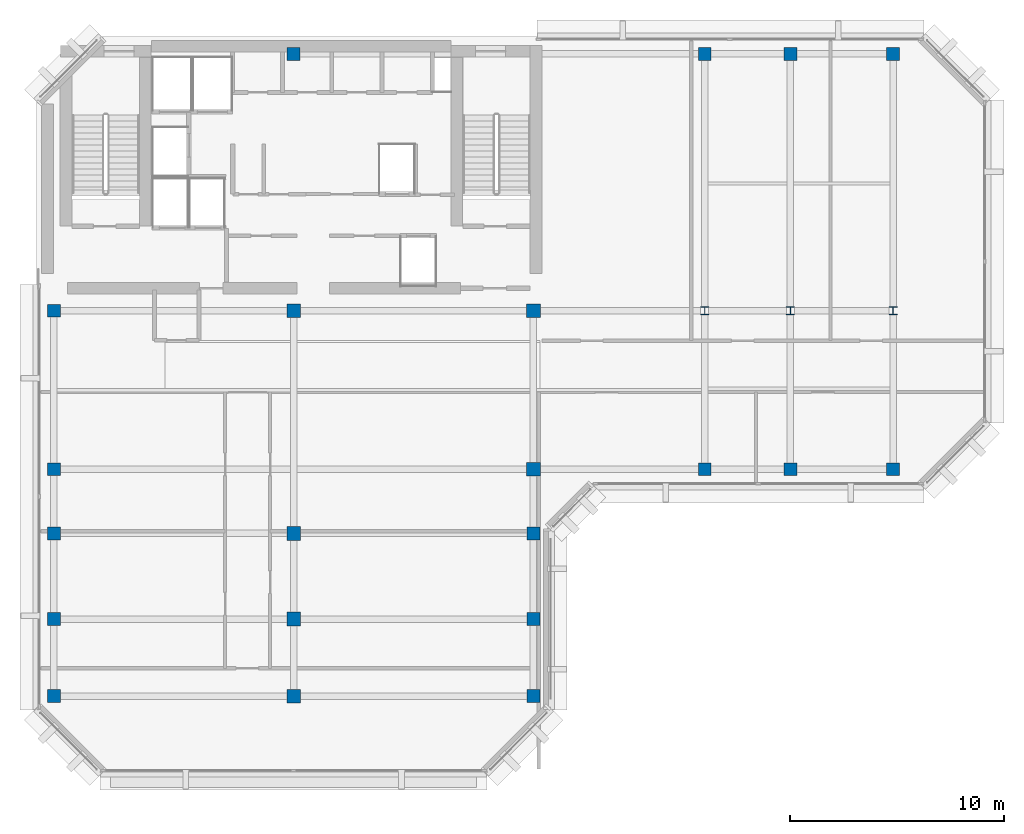
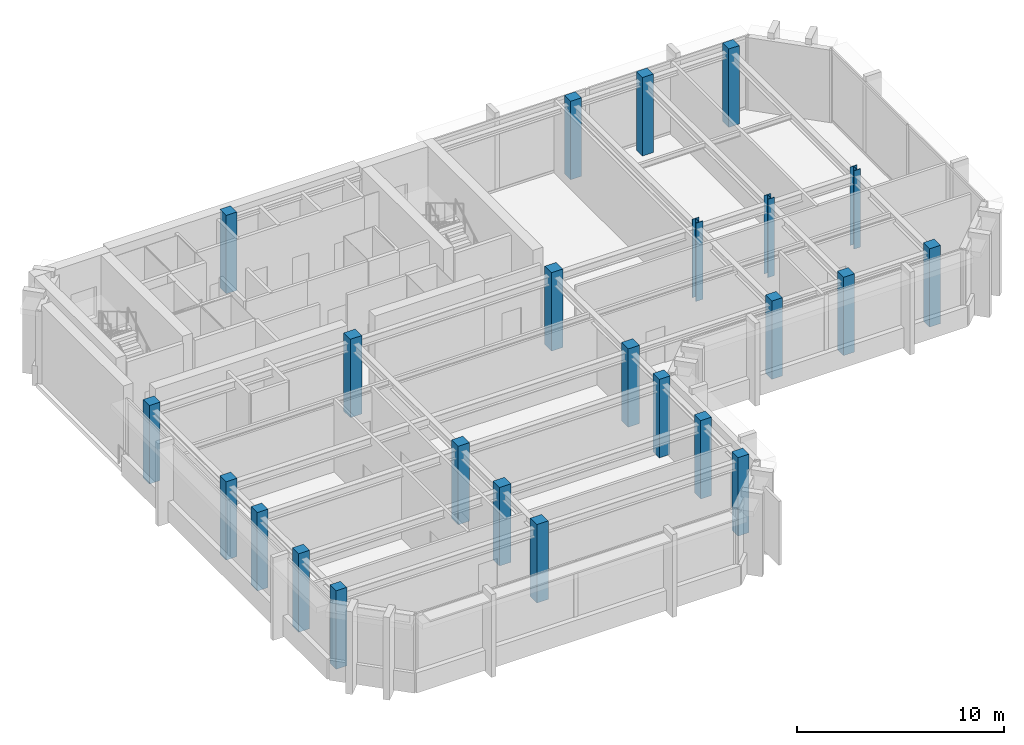
# One storey, part 1 of 9: 24 columns.
"""IFC4 building model written with IfcOpenShell, lengths in metres."""

import ifcopenshell
import ifcopenshell.guid

model = None  # the IFC model being written
_history = None  # IfcOwnerHistory: only IFC2X3 demands one
_inside = {}  # id of a spatial element -> (the spatial element, [elements in it])
_under = {}  # id of a project, library or spatial element -> (it, [spatial elements below it])
_declared = {}  # id of a project -> (the project, [libraries it declares])
_typed = {}  # id of a type object -> (the type object, [elements of that type])
_made_of = {}  # id of a material, layer set ... -> (it, [elements and type objects made of it])


def new_model(schema):
    """Start an empty IFC model of exactly this schema.

    Asked for "IFC4X3", IfcOpenShell would pick the latest addendum, in which some entities
    have other attributes; the version numbers below select the first issue.
    IFC2X3 requires an IfcOwnerHistory on every rooted entity: one is made here for all.
    """
    global model, _history
    if schema == "IFC4X3":
        model = ifcopenshell.file(schema_version=(4, 3, 0, 0))
    else:
        model = ifcopenshell.file(schema=schema)
    _inside.clear()
    _under.clear()
    _declared.clear()
    _typed.clear()
    _made_of.clear()
    _history = None
    if model.schema == "IFC2X3":
        org = make("IfcOrganization", Name="unknown")
        user = make(
            "IfcPersonAndOrganization",
            ThePerson=make("IfcPerson", FamilyName="unknown"),
            TheOrganization=org,
        )
        app = make(
            "IfcApplication",
            ApplicationDeveloper=org,
            Version="unknown",
            ApplicationFullName="unknown",
            ApplicationIdentifier="unknown",
        )
        _history = make(
            "IfcOwnerHistory",
            OwningUser=user,
            OwningApplication=app,
            ChangeAction="ADDED",
            CreationDate=0,
        )
    return model


def make(cls, **values):
    """One entity of the class cls with the attributes given. An attribute that is None is left unset."""
    return model.create_entity(
        cls, **{name: value for name, value in values.items() if value is not None}
    )


def rooted(cls, **values):
    """An entity with a GlobalId (a new one), such as an element, a storey or a relation."""
    return make(cls, GlobalId=ifcopenshell.guid.new(), OwnerHistory=_history, **values)


def si_unit(unit_type, name, prefix=None):
    """IfcSIUnit, for example si_unit("LENGTHUNIT", "METRE", prefix="MILLI")."""
    return make("IfcSIUnit", UnitType=unit_type, Prefix=prefix, Name=name)


def assignment(units):
    """IfcUnitAssignment: the units of a project."""
    return None if units is None else make("IfcUnitAssignment", Units=units)


def point(xyz):
    """IfcCartesianPoint."""
    return None if xyz is None else make("IfcCartesianPoint", Coordinates=xyz)


def direction(xyz):
    """IfcDirection."""
    return None if xyz is None else make("IfcDirection", DirectionRatios=xyz)


def frame(location, z_axis=None, x_axis=None):
    """IfcAxis2Placement3D, a coordinate frame: its origin and axes. An axis left out is left unset."""
    return make(
        "IfcAxis2Placement3D",
        Location=point(location),
        Axis=direction(z_axis),
        RefDirection=direction(x_axis),
    )


def frame_2d(location, x_axis=None):
    """IfcAxis2Placement2D, a coordinate frame in the plane: its origin and x axis."""
    return make(
        "IfcAxis2Placement2D", Location=point(location), RefDirection=direction(x_axis)
    )


def origin():
    """The frame at (0, 0, 0) with its axes left unset."""
    return frame((0.0, 0.0, 0.0))


def origin_2d():
    """The frame at (0, 0) in the plane with its x axis left unset."""
    return frame_2d((0.0, 0.0))


def place(relative_to, where):
    """IfcLocalPlacement: puts the frame where relative to a parent placement (None: the world)."""
    return make(
        "IfcLocalPlacement", PlacementRelTo=relative_to, RelativePlacement=where
    )


def context(
    kind, dimensions, precision=None, world=None, true_north=None, identifier=None
):
    """IfcGeometricRepresentationContext, for example the 3D "Model" context."""
    return make(
        "IfcGeometricRepresentationContext",
        ContextIdentifier=identifier,
        ContextType=kind,
        CoordinateSpaceDimension=dimensions,
        Precision=precision,
        WorldCoordinateSystem=world,
        TrueNorth=true_north,
    )


def subcontext(parent, identifier, kind, view, scale=None):
    """IfcGeometricRepresentationSubContext, for example "Body" below "Model"."""
    return make(
        "IfcGeometricRepresentationSubContext",
        ContextIdentifier=identifier,
        ContextType=kind,
        ParentContext=parent,
        TargetScale=scale,
        TargetView=view,
    )


def project(units=None, contexts=None):
    """IfcProject with its units and contexts."""
    return rooted(
        "IfcProject",
        Name="project",
        RepresentationContexts=contexts,
        UnitsInContext=assignment(units),
    )


def spatial(cls, under=None, at=None, **own):
    """A site, building, storey or space (cls), placed at a placement, below another one or the project."""
    s = rooted(cls, ObjectPlacement=at, **own)
    if under is not None:
        _under.setdefault(under.id(), (under, []))[1].append(s)
    return s


def profile(cls, at=None, kind="AREA", **sizes):
    """A parametric profile (cls). Its sizes go by their IFC names, for example OverallWidth=200.0."""
    return make(cls, ProfileType=kind, Position=at, **sizes)


def rectangle(**sizes):
    """IfcRectangleProfileDef."""
    return profile("IfcRectangleProfileDef", **sizes)


def i_section(**sizes):
    """IfcIShapeProfileDef."""
    return profile("IfcIShapeProfileDef", **sizes)


def extrude(swept, where, along, depth):
    """IfcExtrudedAreaSolid: the profile swept, set in the frame where, extruded along a direction by depth."""
    return make(
        "IfcExtrudedAreaSolid",
        SweptArea=swept,
        Position=where,
        ExtrudedDirection=direction(along),
        Depth=depth,
    )


def shape(context_of_items, identifier, shape_type, items):
    """IfcShapeRepresentation: the items that make up one representation, for example the "Body"."""
    return make(
        "IfcShapeRepresentation",
        ContextOfItems=context_of_items,
        RepresentationIdentifier=identifier,
        RepresentationType=shape_type,
        Items=items,
    )


def material(Name=None, Category=None):
    """IfcMaterial."""
    return make("IfcMaterial", Name=Name, Category=Category)


def material_profile(
    of_material, cross_section, Name=None, Category=None, Priority=None
):
    """IfcMaterialProfile: a cross section and its material."""
    return make(
        "IfcMaterialProfile",
        Name=Name,
        Material=of_material,
        Profile=cross_section,
        Priority=Priority,
        Category=Category,
    )


def profile_set(profiles, Name=None, composite=None):
    """IfcMaterialProfileSet."""
    return make(
        "IfcMaterialProfileSet",
        Name=Name,
        MaterialProfiles=profiles,
        CompositeProfile=composite,
    )


def made_of(thing, what):
    """Note that an element or type object is made of a material, layer set ...; save() writes the relation."""
    if what is not None:
        _made_of.setdefault(what.id(), (what, []))[1].append(thing)
    return thing


def type_object(cls, material=None, **own):
    """A type object (cls), such as IfcWallType, which elements share."""
    return made_of(rooted(cls, **own), material)


def element(
    cls,
    number,
    at=None,
    inside=None,
    cuts=None,
    type_object=None,
    material=None,
    context=None,
    identifier="Body",
    shape_type=None,
    held_by="IfcProductDefinitionShape",
    body=None,
    shapes=None,
    **own,
):
    """One element of the class cls, such as IfcWall. Its Tag is "e" and its number.

    at: its placement. inside: the storey or other place that contains it. cuts: it is an
    opening in that element (IfcRelVoidsElement). A single representation is given by context,
    identifier, shape_type and body (its items); several are given by shapes. held_by: the class
    of the entity that holds the representations. save() writes the other relations.
    """
    e = rooted(cls, Tag="e%d" % number, ObjectPlacement=at, **own)
    if body is not None:
        shapes = [shape(context, identifier, shape_type, body)]
    if shapes is not None:
        e.Representation = make(held_by, Representations=shapes)
    if inside is not None:
        _inside.setdefault(inside.id(), (inside, []))[1].append(e)
    if cuts is not None:
        rooted(
            "IfcRelVoidsElement", RelatingBuildingElement=cuts, RelatedOpeningElement=e
        )
    if type_object is not None:
        _typed.setdefault(type_object.id(), (type_object, []))[1].append(e)
    return made_of(e, material)


def aggregate(whole, parts):
    """IfcRelAggregates: a whole, such as a stair, and the parts it consists of."""
    return rooted("IfcRelAggregates", RelatingObject=whole, RelatedObjects=parts)


def save(model, path):
    """Write the relations noted so far, then the file.

    IfcRelAggregates (storeys below a building ...), IfcRelContainedInSpatialStructure (elements
    in a storey), IfcRelDefinesByType, IfcRelAssociatesMaterial and IfcRelDeclares: one each for
    every whole, place, type object, material and project.
    """
    for whole, parts in _under.values():
        aggregate(whole, parts)
    for where, things in _inside.values():
        rooted(
            "IfcRelContainedInSpatialStructure",
            RelatedElements=things,
            RelatingStructure=where,
        )
    for kind, things in _typed.values():
        rooted("IfcRelDefinesByType", RelatedObjects=things, RelatingType=kind)
    for what, things in _made_of.values():
        rooted("IfcRelAssociatesMaterial", RelatedObjects=things, RelatingMaterial=what)
    for by, libraries in _declared.values():
        rooted("IfcRelDeclares", RelatingContext=by, RelatedDefinitions=libraries)
    model.write(path)


model = new_model("IFC4")

# Units and contexts
model_context = context("Model", 3, precision=1e-05, world=origin(), true_north=direction((0.0, 1.0)))
body_context = subcontext(model_context, "Body", "Model", "MODEL_VIEW")
ifc_project = project(units=[si_unit("LENGTHUNIT", "METRE"), si_unit("AREAUNIT", "SQUARE_METRE"), si_unit("VOLUMEUNIT", "CUBIC_METRE"), si_unit("PLANEANGLEUNIT", "RADIAN"), si_unit("MASSUNIT", "GRAM", prefix="KILO")], contexts=[model_context])

# Site, building, storey
site_placement = place(None, origin())
site = spatial("IfcSite", under=ifc_project, at=site_placement, CompositionType="ELEMENT")
building_placement = place(site_placement, origin())
building = spatial("IfcBuilding", under=site, at=building_placement, Name="Kefirva Bronze Tower", CompositionType="ELEMENT")
storey_placement = place(building_placement, frame((0.0, 0.0, 361.35009765625)))
storey = spatial("IfcBuildingStorey", under=building, at=storey_placement, Name="L88", CompositionType="ELEMENT", Elevation=361.35009765625)

# Columns
ifc_material_1 = material(Name="Concrete C50/60", Category="concrete")
ifc_material_profile_1 = material_profile(ifc_material_1, rectangle(XDim=0.60009765625, YDim=0.60009765625, at=origin_2d()), Name="RC 600x600")
ifc_profile_set_1 = profile_set([ifc_material_profile_1], Name="Concrete C50/60")
column_type_1 = type_object("IfcColumnType", Name="RC Column 600x600 Ext", PredefinedType="COLUMN", material=ifc_profile_set_1)
for number, where, z_axis, x_axis, name in (
    (1, (0.800048828125, 15.199951171875, 0.0), (0.0, 0.0, 1.0), (1.0, 0.0, 0.0), "L88 Column C008_152"),
    (2, (0.800048828125, 18.800048828125, 0.0), (0.0, 0.0, 1.0), (1.0, 0.0, 0.0), "L88 Column C008_188"),
    (3, (0.800048828125, 22.800048828125, 0.0), (0.0, 0.0, 1.0), (1.0, 0.0, 0.0), "L88 Column C008_228"),
    (4, (0.800048828125, 25.800048828125, 0.0), (0.0, 0.0, 1.0), (1.0, 0.0, 0.0), "L88 Column C008_258"),
    (5, (0.800048828125, 33.199951171875, 0.0), (0.0, 0.0, 1.0), (1.0, 0.0, 0.0), "L88 Column C008_332"),
    (6, (12.0, 45.199951171875, 0.0), (0.0, 0.0, 1.0), (1.0, 0.0, 0.0), "L88 Column C120_452"),
    (7, (23.199951171875, 15.199951171875, 0.0), (0.0, 0.0, 1.0), (1.0, 0.0, 0.0), "L88 Column C232_152"),
    (8, (23.199951171875, 18.800048828125, 0.0), (0.0, 0.0, 1.0), (1.0, 0.0, 0.0), "L88 Column C232_188"),
    (9, (23.199951171875, 22.800048828125, 0.0), (0.0, 0.0, 1.0), (1.0, 0.0, 0.0), "L88 Column C232_228"),
    (10, (31.199951171875, 25.800048828125, 0.0), (0.0, 0.0, 1.0), (1.0, 0.0, 0.0), "L88 Column C312_258"),
    (11, (31.199951171875, 45.199951171875, 0.0), (0.0, 0.0, 1.0), (1.0, 0.0, 0.0), "L88 Column C312_452"),
    (12, (35.199951171875, 25.800048828125, 0.0), (0.0, 0.0, 1.0), (1.0, 0.0, 0.0), "L88 Column C352_258"),
    (13, (35.199951171875, 45.199951171875, 0.0), (0.0, 0.0, 1.0), (1.0, 0.0, 0.0), "L88 Column C352_452"),
    (14, (40.0, 25.800048828125, 0.0), (0.0, 0.0, 1.0), (1.0, 0.0, 0.0), "L88 Column C400_258"),
    (15, (40.0, 45.199951171875, 0.0), (0.0, 0.0, 1.0), (1.0, 0.0, 0.0), "L88 Column C400_452"),
):
    element("IfcColumn", number, at=place(storey_placement, frame(where, z_axis=z_axis, x_axis=x_axis)), inside=storey, type_object=column_type_1, Name=name, PredefinedType="COLUMN", context=body_context, shape_type="SweptSolid", body=[
        extrude(rectangle(XDim=0.60009765625, YDim=0.60009765625, at=origin_2d()), origin(), (0.0, 0.0, 1.0), 4.619873046875),
    ])
ifc_material_profile_2 = material_profile(ifc_material_1, rectangle(XDim=0.639892578125, YDim=0.639892578125, at=origin_2d()), Name="RC 640x640")
ifc_profile_set_2 = profile_set([ifc_material_profile_2], Name="Concrete C50/60")
column_type_2 = type_object("IfcColumnType", Name="RC Column 640x640 Int", PredefinedType="COLUMN", material=ifc_profile_set_2)
for number, where, z_axis, x_axis, name in (
    (16, (12.0, 15.199951171875, 0.0), (0.0, 0.0, 1.0), (1.0, 0.0, 0.0), "L88 Column C120_152"),
    (17, (12.0, 18.800048828125, 0.0), (0.0, 0.0, 1.0), (1.0, 0.0, 0.0), "L88 Column C120_188"),
    (18, (12.0, 22.800048828125, 0.0), (0.0, 0.0, 1.0), (1.0, 0.0, 0.0), "L88 Column C120_228"),
    (19, (12.0, 33.199951171875, 0.0), (0.0, 0.0, 1.0), (1.0, 0.0, 0.0), "L88 Column C120_332"),
    (20, (23.199951171875, 25.800048828125, 0.0), (0.0, 0.0, 1.0), (1.0, 0.0, 0.0), "L88 Column C232_258"),
    (21, (23.199951171875, 33.199951171875, 0.0), (0.0, 0.0, 1.0), (1.0, 0.0, 0.0), "L88 Column C232_332"),
):
    element("IfcColumn", number, at=place(storey_placement, frame(where, z_axis=z_axis, x_axis=x_axis)), inside=storey, type_object=column_type_2, Name=name, PredefinedType="COLUMN", context=body_context, shape_type="SweptSolid", body=[
        extrude(rectangle(XDim=0.639892578125, YDim=0.639892578125, at=origin_2d()), origin(), (0.0, 0.0, 1.0), 4.619873046875),
    ])
ifc_material_2 = material(Name="Steel S460", Category="steel")
ifc_material_profile_3 = material_profile(ifc_material_2, i_section(OverallWidth=0.376953125, OverallDepth=0.386962890625, WebThickness=0.01611328125, FlangeThickness=0.027099609375, at=origin_2d()), Name="HD 360x262")
ifc_profile_set_3 = profile_set([ifc_material_profile_3], Name="Steel S460")
column_type_3 = type_object("IfcColumnType", Name="Steel Column HD 360x262", PredefinedType="COLUMN", material=ifc_profile_set_3)
for number, where, z_axis, x_axis, name in (
    (22, (31.199951171875, 33.199951171875, 0.0), (0.0, 0.0, 1.0), (1.0, 0.0, 0.0), "L88 Column C312_332"),
    (23, (35.199951171875, 33.199951171875, 0.0), (0.0, 0.0, 1.0), (1.0, 0.0, 0.0), "L88 Column C352_332"),
    (24, (40.0, 33.199951171875, 0.0), (0.0, 0.0, 1.0), (1.0, 0.0, 0.0), "L88 Column C400_332"),
):
    element("IfcColumn", number, at=place(storey_placement, frame(where, z_axis=z_axis, x_axis=x_axis)), inside=storey, type_object=column_type_3, Name=name, PredefinedType="COLUMN", context=body_context, shape_type="SweptSolid", body=[
        extrude(i_section(OverallWidth=0.376953125, OverallDepth=0.386962890625, WebThickness=0.01611328125, FlangeThickness=0.027099609375, at=origin_2d()), origin(), (0.0, 0.0, 1.0), 4.619873046875),
    ])

save(model, "model.ifc")
